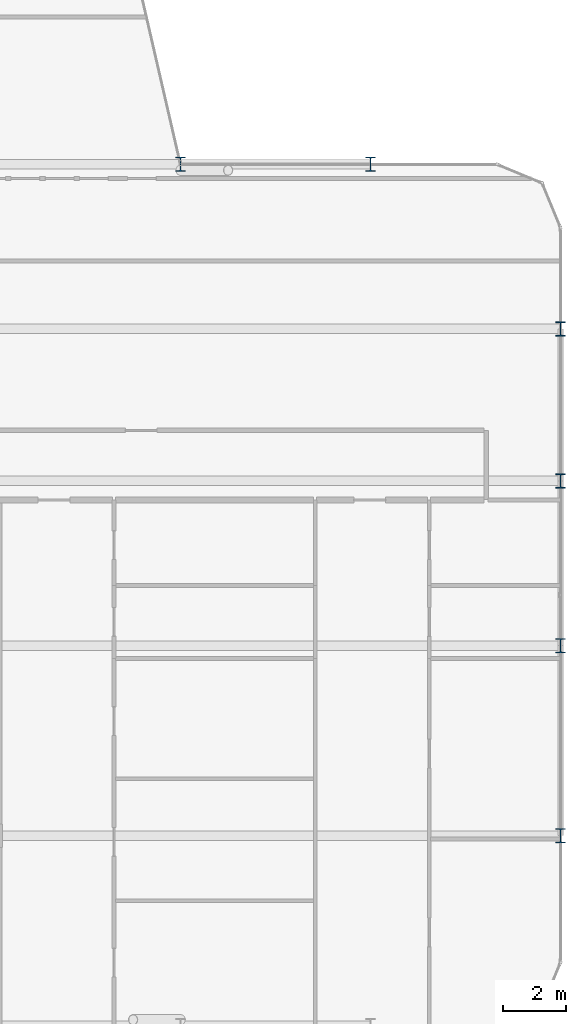
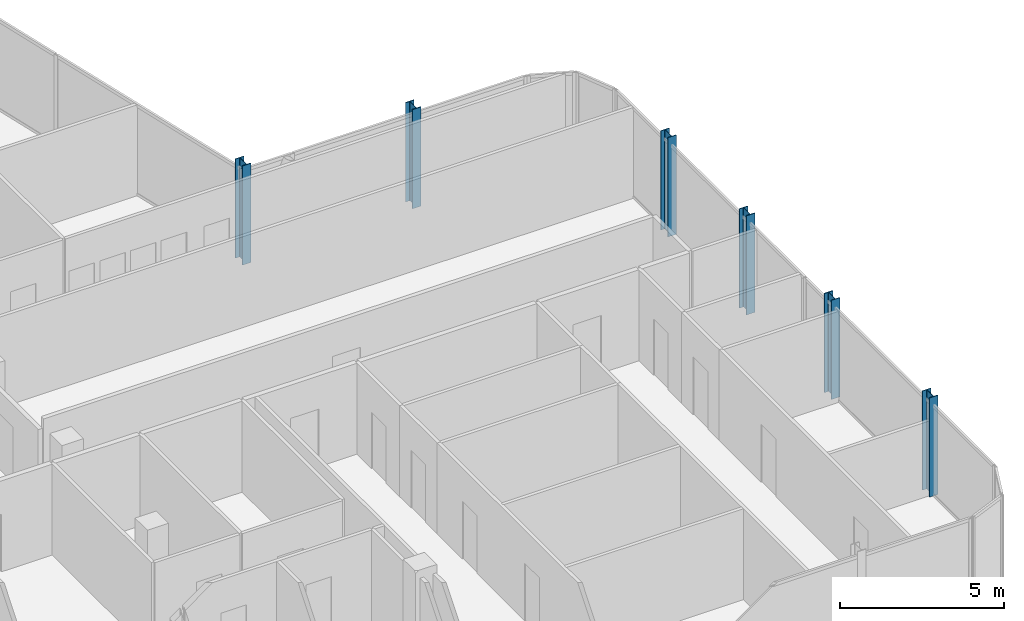
# One storey, part 2 of 29: 6 columns.
"""IFC4 building model written with IfcOpenShell, lengths in metres."""

from ifc_helpers import new_model, si_unit, direction, frame, origin, origin_2d, place, context, subcontext, project, spatial, i_section, extrude, material, material_profile, profile_set, type_object, element, save


model = new_model("IFC4")

# Units and contexts
model_context = context("Model", 3, precision=1e-05, world=origin(), true_north=direction((0.0, 1.0)))
body_context = subcontext(model_context, "Body", "Model", "MODEL_VIEW")
ifc_project = project(units=[si_unit("LENGTHUNIT", "METRE"), si_unit("AREAUNIT", "SQUARE_METRE"), si_unit("VOLUMEUNIT", "CUBIC_METRE"), si_unit("PLANEANGLEUNIT", "RADIAN"), si_unit("MASSUNIT", "GRAM", prefix="KILO")], contexts=[model_context])

# Site, building, storey
site_placement = place(None, origin())
site = spatial("IfcSite", under=ifc_project, at=site_placement, CompositionType="ELEMENT")
building_placement = place(site_placement, origin())
building = spatial("IfcBuilding", under=site, at=building_placement, Name="Keshet Zoharim Tower", CompositionType="ELEMENT")
storey_placement = place(building_placement, frame((0.0, 0.0, 206.89990234375)))
storey = spatial("IfcBuildingStorey", under=building, at=storey_placement, Name="L51", CompositionType="ELEMENT", Elevation=206.89990234375)

# Columns
ifc_material = material(Name="Steel S355", Category="steel")
ifc_material_profile = material_profile(ifc_material, i_section(OverallWidth=0.300048828125, OverallDepth=0.449951171875, WebThickness=0.013916015625, FlangeThickness=0.02587890625, FilletRadius=0.027099609375, at=origin_2d()), Name="HEB450")
ifc_profile_set = profile_set([ifc_material_profile], Name="Steel S355")
column_type = type_object("IfcColumnType", Name="COL-HEB450", PredefinedType="COLUMN", material=ifc_profile_set)
for number, where, z_axis, x_axis, name in (
    (1, (45.0, 27.89990234375, 0.0), (0.0, 0.0, 1.0), (1.0, 0.0, 0.0), "L51 Column 8F"),
    (2, (51.0, 27.89990234375, 0.0), (0.0, 0.0, 1.0), (1.0, 0.0, 0.0), "L51 Column 9F"),
    (3, (57.0, 6.699951171875, 0.0), (0.0, 0.0, 1.0), (1.0, 0.0, 0.0), "L51 Column 10B"),
    (4, (57.0, 12.699951171875, 0.0), (0.0, 0.0, 1.0), (1.0, 0.0, 0.0), "L51 Column 10C"),
    (5, (57.0, 17.89990234375, 0.0), (0.0, 0.0, 1.0), (1.0, 0.0, 0.0), "L51 Column 10D"),
    (6, (57.0, 22.699951171875, 0.0), (0.0, 0.0, 1.0), (1.0, 0.0, 0.0), "L51 Column 10E"),
):
    element("IfcColumn", number, at=place(storey_placement, frame(where, z_axis=z_axis, x_axis=x_axis)), inside=storey, type_object=column_type, Name=name, PredefinedType="COLUMN", context=body_context, shape_type="SweptSolid", body=[
        extrude(i_section(OverallWidth=0.300048828125, OverallDepth=0.449951171875, WebThickness=0.013916015625, FlangeThickness=0.02587890625, FilletRadius=0.027099609375, at=origin_2d()), origin(), (0.0, 0.0, 1.0), 3.7001953125),
    ])

save(model, "model.ifc")
